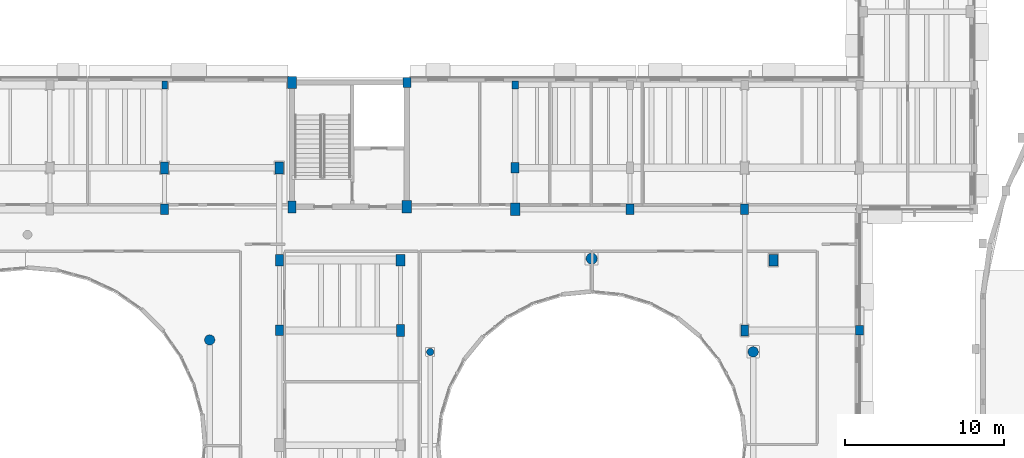
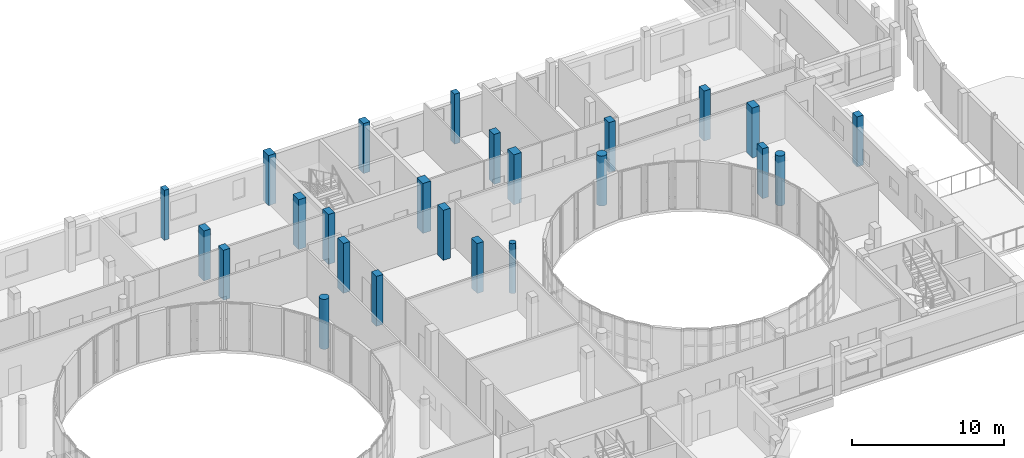
# One storey, part 9 of 89: 24 columns.
"""IFC4 building model written with IfcOpenShell, lengths in metres."""

import ifcopenshell
import ifcopenshell.guid

model = None  # the IFC model being written
_history = None  # IfcOwnerHistory: only IFC2X3 demands one
_inside = {}  # id of a spatial element -> (the spatial element, [elements in it])
_under = {}  # id of a project, library or spatial element -> (it, [spatial elements below it])
_declared = {}  # id of a project -> (the project, [libraries it declares])
_typed = {}  # id of a type object -> (the type object, [elements of that type])
_made_of = {}  # id of a material, layer set ... -> (it, [elements and type objects made of it])


def new_model(schema):
    """Start an empty IFC model of exactly this schema.

    Asked for "IFC4X3", IfcOpenShell would pick the latest addendum, in which some entities
    have other attributes; the version numbers below select the first issue.
    IFC2X3 requires an IfcOwnerHistory on every rooted entity: one is made here for all.
    """
    global model, _history
    if schema == "IFC4X3":
        model = ifcopenshell.file(schema_version=(4, 3, 0, 0))
    else:
        model = ifcopenshell.file(schema=schema)
    _inside.clear()
    _under.clear()
    _declared.clear()
    _typed.clear()
    _made_of.clear()
    _history = None
    if model.schema == "IFC2X3":
        org = make("IfcOrganization", Name="unknown")
        user = make(
            "IfcPersonAndOrganization",
            ThePerson=make("IfcPerson", FamilyName="unknown"),
            TheOrganization=org,
        )
        app = make(
            "IfcApplication",
            ApplicationDeveloper=org,
            Version="unknown",
            ApplicationFullName="unknown",
            ApplicationIdentifier="unknown",
        )
        _history = make(
            "IfcOwnerHistory",
            OwningUser=user,
            OwningApplication=app,
            ChangeAction="ADDED",
            CreationDate=0,
        )
    return model


def make(cls, **values):
    """One entity of the class cls with the attributes given. An attribute that is None is left unset."""
    return model.create_entity(
        cls, **{name: value for name, value in values.items() if value is not None}
    )


def rooted(cls, **values):
    """An entity with a GlobalId (a new one), such as an element, a storey or a relation."""
    return make(cls, GlobalId=ifcopenshell.guid.new(), OwnerHistory=_history, **values)


def si_unit(unit_type, name, prefix=None):
    """IfcSIUnit, for example si_unit("LENGTHUNIT", "METRE", prefix="MILLI")."""
    return make("IfcSIUnit", UnitType=unit_type, Prefix=prefix, Name=name)


def assignment(units):
    """IfcUnitAssignment: the units of a project."""
    return None if units is None else make("IfcUnitAssignment", Units=units)


def point(xyz):
    """IfcCartesianPoint."""
    return None if xyz is None else make("IfcCartesianPoint", Coordinates=xyz)


def direction(xyz):
    """IfcDirection."""
    return None if xyz is None else make("IfcDirection", DirectionRatios=xyz)


def frame(location, z_axis=None, x_axis=None):
    """IfcAxis2Placement3D, a coordinate frame: its origin and axes. An axis left out is left unset."""
    return make(
        "IfcAxis2Placement3D",
        Location=point(location),
        Axis=direction(z_axis),
        RefDirection=direction(x_axis),
    )


def frame_2d(location, x_axis=None):
    """IfcAxis2Placement2D, a coordinate frame in the plane: its origin and x axis."""
    return make(
        "IfcAxis2Placement2D", Location=point(location), RefDirection=direction(x_axis)
    )


def origin():
    """The frame at (0, 0, 0) with its axes left unset."""
    return frame((0.0, 0.0, 0.0))


def origin_2d():
    """The frame at (0, 0) in the plane with its x axis left unset."""
    return frame_2d((0.0, 0.0))


def place(relative_to, where):
    """IfcLocalPlacement: puts the frame where relative to a parent placement (None: the world)."""
    return make(
        "IfcLocalPlacement", PlacementRelTo=relative_to, RelativePlacement=where
    )


def context(
    kind, dimensions, precision=None, world=None, true_north=None, identifier=None
):
    """IfcGeometricRepresentationContext, for example the 3D "Model" context."""
    return make(
        "IfcGeometricRepresentationContext",
        ContextIdentifier=identifier,
        ContextType=kind,
        CoordinateSpaceDimension=dimensions,
        Precision=precision,
        WorldCoordinateSystem=world,
        TrueNorth=true_north,
    )


def subcontext(parent, identifier, kind, view, scale=None):
    """IfcGeometricRepresentationSubContext, for example "Body" below "Model"."""
    return make(
        "IfcGeometricRepresentationSubContext",
        ContextIdentifier=identifier,
        ContextType=kind,
        ParentContext=parent,
        TargetScale=scale,
        TargetView=view,
    )


def project(units=None, contexts=None):
    """IfcProject with its units and contexts."""
    return rooted(
        "IfcProject",
        Name="project",
        RepresentationContexts=contexts,
        UnitsInContext=assignment(units),
    )


def spatial(cls, under=None, at=None, **own):
    """A site, building, storey or space (cls), placed at a placement, below another one or the project."""
    s = rooted(cls, ObjectPlacement=at, **own)
    if under is not None:
        _under.setdefault(under.id(), (under, []))[1].append(s)
    return s


def profile(cls, at=None, kind="AREA", **sizes):
    """A parametric profile (cls). Its sizes go by their IFC names, for example OverallWidth=200.0."""
    return make(cls, ProfileType=kind, Position=at, **sizes)


def rectangle(**sizes):
    """IfcRectangleProfileDef."""
    return profile("IfcRectangleProfileDef", **sizes)


def circle(**sizes):
    """IfcCircleProfileDef."""
    return profile("IfcCircleProfileDef", **sizes)


def extrude(swept, where, along, depth):
    """IfcExtrudedAreaSolid: the profile swept, set in the frame where, extruded along a direction by depth."""
    return make(
        "IfcExtrudedAreaSolid",
        SweptArea=swept,
        Position=where,
        ExtrudedDirection=direction(along),
        Depth=depth,
    )


def shape(context_of_items, identifier, shape_type, items):
    """IfcShapeRepresentation: the items that make up one representation, for example the "Body"."""
    return make(
        "IfcShapeRepresentation",
        ContextOfItems=context_of_items,
        RepresentationIdentifier=identifier,
        RepresentationType=shape_type,
        Items=items,
    )


def material(Name=None, Category=None):
    """IfcMaterial."""
    return make("IfcMaterial", Name=Name, Category=Category)


def material_profile(
    of_material, cross_section, Name=None, Category=None, Priority=None
):
    """IfcMaterialProfile: a cross section and its material."""
    return make(
        "IfcMaterialProfile",
        Name=Name,
        Material=of_material,
        Profile=cross_section,
        Priority=Priority,
        Category=Category,
    )


def profile_set(profiles, Name=None, composite=None):
    """IfcMaterialProfileSet."""
    return make(
        "IfcMaterialProfileSet",
        Name=Name,
        MaterialProfiles=profiles,
        CompositeProfile=composite,
    )


def made_of(thing, what):
    """Note that an element or type object is made of a material, layer set ...; save() writes the relation."""
    if what is not None:
        _made_of.setdefault(what.id(), (what, []))[1].append(thing)
    return thing


def type_object(cls, material=None, **own):
    """A type object (cls), such as IfcWallType, which elements share."""
    return made_of(rooted(cls, **own), material)


def element(
    cls,
    number,
    at=None,
    inside=None,
    cuts=None,
    type_object=None,
    material=None,
    context=None,
    identifier="Body",
    shape_type=None,
    held_by="IfcProductDefinitionShape",
    body=None,
    shapes=None,
    **own,
):
    """One element of the class cls, such as IfcWall. Its Tag is "e" and its number.

    at: its placement. inside: the storey or other place that contains it. cuts: it is an
    opening in that element (IfcRelVoidsElement). A single representation is given by context,
    identifier, shape_type and body (its items); several are given by shapes. held_by: the class
    of the entity that holds the representations. save() writes the other relations.
    """
    e = rooted(cls, Tag="e%d" % number, ObjectPlacement=at, **own)
    if body is not None:
        shapes = [shape(context, identifier, shape_type, body)]
    if shapes is not None:
        e.Representation = make(held_by, Representations=shapes)
    if inside is not None:
        _inside.setdefault(inside.id(), (inside, []))[1].append(e)
    if cuts is not None:
        rooted(
            "IfcRelVoidsElement", RelatingBuildingElement=cuts, RelatedOpeningElement=e
        )
    if type_object is not None:
        _typed.setdefault(type_object.id(), (type_object, []))[1].append(e)
    return made_of(e, material)


def aggregate(whole, parts):
    """IfcRelAggregates: a whole, such as a stair, and the parts it consists of."""
    return rooted("IfcRelAggregates", RelatingObject=whole, RelatedObjects=parts)


def save(model, path):
    """Write the relations noted so far, then the file.

    IfcRelAggregates (storeys below a building ...), IfcRelContainedInSpatialStructure (elements
    in a storey), IfcRelDefinesByType, IfcRelAssociatesMaterial and IfcRelDeclares: one each for
    every whole, place, type object, material and project.
    """
    for whole, parts in _under.values():
        aggregate(whole, parts)
    for where, things in _inside.values():
        rooted(
            "IfcRelContainedInSpatialStructure",
            RelatedElements=things,
            RelatingStructure=where,
        )
    for kind, things in _typed.values():
        rooted("IfcRelDefinesByType", RelatedObjects=things, RelatingType=kind)
    for what, things in _made_of.values():
        rooted("IfcRelAssociatesMaterial", RelatedObjects=things, RelatingMaterial=what)
    for by, libraries in _declared.values():
        rooted("IfcRelDeclares", RelatingContext=by, RelatedDefinitions=libraries)
    model.write(path)


model = new_model("IFC4")

# Units and contexts
model_context = context("Model", 3, precision=1e-05, world=origin(), true_north=direction((0.0, 1.0)))
body_context = subcontext(model_context, "Body", "Model", "MODEL_VIEW")
ifc_project = project(units=[si_unit("LENGTHUNIT", "METRE"), si_unit("AREAUNIT", "SQUARE_METRE"), si_unit("VOLUMEUNIT", "CUBIC_METRE"), si_unit("PLANEANGLEUNIT", "RADIAN"), si_unit("MASSUNIT", "GRAM", prefix="KILO")], contexts=[model_context])

# Site, building, storey
site_placement = place(None, origin())
site = spatial("IfcSite", under=ifc_project, at=site_placement, CompositionType="ELEMENT")
building_placement = place(site_placement, origin())
building = spatial("IfcBuilding", under=site, at=building_placement, Name="Kelanivale Promenade Academy", CompositionType="ELEMENT")
storey_placement = place(building_placement, frame((0.0, 0.0, 12.199951171875)))
storey = spatial("IfcBuildingStorey", under=building, at=storey_placement, Name="L03", CompositionType="ELEMENT", Elevation=12.199951171875)

# Columns
ifc_material = material(Name="Concrete C40/50", Category="concrete")
ifc_material_profile_1 = material_profile(ifc_material, rectangle(XDim=0.449951171875, YDim=0.699951171875, at=origin_2d()), Name="RC-COL 450x700")
ifc_profile_set_1 = profile_set([ifc_material_profile_1], Name="Concrete C40/50")
column_type_1 = type_object("IfcColumnType", Name="C-10 RC-COL 450x700", PredefinedType="COLUMN", material=ifc_profile_set_1)
column_1_placement = place(storey_placement, frame((108.39990234375, 64.0, 0.0), z_axis=(0.0, 0.0, 1.0), x_axis=(1.0, 0.0, 0.0)))
element("IfcColumn", 1, at=column_1_placement, inside=storey, type_object=column_type_1, Name="Column C-10 at (108.4, 64.0) L03", PredefinedType="COLUMN", context=body_context, shape_type="SweptSolid", body=[
    extrude(rectangle(XDim=0.449951171875, YDim=0.699951171875, at=origin_2d()), origin(), (0.0, 0.0, 1.0), 4.0),
])
ifc_material_profile_2 = material_profile(ifc_material, rectangle(XDim=0.5, YDim=0.64990234375, at=origin_2d()), Name="RC-COL 500x650")
ifc_profile_set_2 = profile_set([ifc_material_profile_2], Name="Concrete C40/50")
column_type_2 = type_object("IfcColumnType", Name="C-11 RC-COL 500x650", PredefinedType="COLUMN", material=ifc_profile_set_2)
for number, where, z_axis, x_axis, name in (
    (2, (72.0, 71.60009765625, 0.0), (0.0, 0.0, 1.0), (1.0, 0.0, 0.0), "Column C-11 at (72.0, 71.6) L03"),
    (3, (79.199951171875, 64.0, 0.0), (0.0, 0.0, 1.0), (1.0, 0.0, 0.0), "Column C-11 at (79.2, 64.0) L03"),
    (4, (87.199951171875, 79.550048828125, 0.0), (0.0, 0.0, 1.0), (1.0, 0.0, 0.0), "Column C-11 at (87.2, 79.5) L03"),
    (5, (94.0, 74.199951171875, 0.0), (0.0, 0.0, 1.0), (1.0, 0.0, 0.0), "Column C-11 at (94.0, 74.2) L03"),
    (6, (101.199951171875, 71.60009765625, 0.0), (0.0, 0.0, 1.0), (1.0, 0.0, 0.0), "Column C-11 at (101.2, 71.6) L03"),
    (7, (108.39990234375, 71.60009765625, 0.0), (0.0, 0.0, 1.0), (1.0, 0.0, 0.0), "Column C-11 at (108.4, 71.6) L03"),
):
    element("IfcColumn", number, at=place(storey_placement, frame(where, z_axis=z_axis, x_axis=x_axis)), inside=storey, type_object=column_type_2, Name=name, PredefinedType="COLUMN", context=body_context, shape_type="SweptSolid", body=[
        extrude(rectangle(XDim=0.5, YDim=0.64990234375, at=origin_2d()), origin(), (0.0, 0.0, 1.0), 4.0),
    ])
ifc_material_profile_3 = material_profile(ifc_material, rectangle(XDim=0.5, YDim=0.75, at=origin_2d()), Name="RC-COL 500x750")
ifc_profile_set_3 = profile_set([ifc_material_profile_3], Name="Concrete C40/50")
column_type_3 = type_object("IfcColumnType", Name="C-12 RC-COL 500x750", PredefinedType="COLUMN", material=ifc_profile_set_3)
for number, where, z_axis, x_axis, name in (
    (8, (72.0, 74.199951171875, 0.0), (0.0, 0.0, 1.0), (1.0, 0.0, 0.0), "Column C-12 at (72.0, 74.2) L03"),
    (9, (79.199951171875, 68.39990234375, 0.0), (0.0, 0.0, 1.0), (1.0, 0.0, 0.0), "Column C-12 at (79.2, 68.4) L03"),
    (10, (80.0, 71.75, 0.0), (0.0, 0.0, 1.0), (1.0, 0.0, 0.0), "Column C-12 at (80.0, 71.8) L03"),
    (11, (86.800048828125, 64.0, 0.0), (0.0, 0.0, 1.0), (1.0, 0.0, 0.0), "Column C-12 at (86.8, 64.0) L03"),
):
    element("IfcColumn", number, at=place(storey_placement, frame(where, z_axis=z_axis, x_axis=x_axis)), inside=storey, type_object=column_type_3, Name=name, PredefinedType="COLUMN", context=body_context, shape_type="SweptSolid", body=[
        extrude(rectangle(XDim=0.5, YDim=0.75, at=origin_2d()), origin(), (0.0, 0.0, 1.0), 4.0),
    ])
ifc_material_profile_4 = material_profile(ifc_material, rectangle(XDim=0.550048828125, YDim=0.75, at=origin_2d()), Name="RC-COL 550x750")
ifc_profile_set_4 = profile_set([ifc_material_profile_4], Name="Concrete C40/50")
column_type_4 = type_object("IfcColumnType", Name="C-13 RC-COL 550x750", PredefinedType="COLUMN", material=ifc_profile_set_4)
for number, where, z_axis, x_axis, name in (
    (12, (79.199951171875, 74.199951171875, 0.0), (0.0, 0.0, 1.0), (1.0, 0.0, 0.0), "Column C-13 at (79.2, 74.2) L03"),
    (13, (80.0, 79.550048828125, 0.0), (0.0, 0.0, 1.0), (1.0, 0.0, 0.0), "Column C-13 at (80.0, 79.5) L03"),
    (14, (86.800048828125, 68.39990234375, 0.0), (0.0, 0.0, 1.0), (1.0, 0.0, 0.0), "Column C-13 at (86.8, 68.4) L03"),
    (15, (110.199951171875, 68.39990234375, 0.0), (0.0, 0.0, 1.0), (1.0, 0.0, 0.0), "Column C-13 at (110.2, 68.4) L03"),
):
    element("IfcColumn", number, at=place(storey_placement, frame(where, z_axis=z_axis, x_axis=x_axis)), inside=storey, type_object=column_type_4, Name=name, PredefinedType="COLUMN", context=body_context, shape_type="SweptSolid", body=[
        extrude(rectangle(XDim=0.550048828125, YDim=0.75, at=origin_2d()), origin(), (0.0, 0.0, 1.0), 4.0),
    ])
ifc_material_profile_5 = material_profile(ifc_material, rectangle(XDim=0.60009765625, YDim=0.800048828125, at=origin_2d()), Name="RC-COL 600x800")
ifc_profile_set_5 = profile_set([ifc_material_profile_5], Name="Concrete C40/50")
column_type_5 = type_object("IfcColumnType", Name="C-14 RC-COL 600x800", PredefinedType="COLUMN", material=ifc_profile_set_5)
for number, where, z_axis, x_axis, name in (
    (16, (87.199951171875, 71.75, 0.0), (0.0, 0.0, 1.0), (1.0, 0.0, 0.0), "Column C-14 at (87.2, 71.8) L03"),
    (17, (94.0, 71.60009765625, 0.0), (0.0, 0.0, 1.0), (1.0, 0.0, 0.0), "Column C-14 at (94.0, 71.6) L03"),
):
    element("IfcColumn", number, at=place(storey_placement, frame(where, z_axis=z_axis, x_axis=x_axis)), inside=storey, type_object=column_type_5, Name=name, PredefinedType="COLUMN", context=body_context, shape_type="SweptSolid", body=[
        extrude(rectangle(XDim=0.60009765625, YDim=0.800048828125, at=origin_2d()), origin(), (0.0, 0.0, 1.0), 4.0),
    ])
ifc_material_profile_6 = material_profile(ifc_material, circle(Radius=0.22509765625, at=origin_2d()), Name="RC-COL D450")
ifc_profile_set_6 = profile_set([ifc_material_profile_6], Name="Concrete C40/50")
column_type_6 = type_object("IfcColumnType", Name="CC-19 RC-COL D450", PredefinedType="COLUMN", material=ifc_profile_set_6)
column_2_placement = place(storey_placement, frame((88.66796875, 62.64990234375, 0.0), z_axis=(0.0, 0.0, 1.0), x_axis=(1.0, 0.0, 0.0)))
element("IfcColumn", 18, at=column_2_placement, inside=storey, type_object=column_type_6, Name="Column CC-19 at (88.7, 62.6) L03", PredefinedType="COLUMN", context=body_context, shape_type="SweptSolid", body=[
    extrude(circle(Radius=0.22509765625, at=origin_2d()), origin(), (0.0, 0.0, 1.0), 4.0),
])
ifc_material_profile_7 = material_profile(ifc_material, circle(Radius=0.324951171875, at=origin_2d()), Name="RC-COL D650")
ifc_profile_set_7 = profile_set([ifc_material_profile_7], Name="Concrete C40/50")
column_type_7 = type_object("IfcColumnType", Name="CC-23 RC-COL D650", PredefinedType="COLUMN", material=ifc_profile_set_7)
for number, where, z_axis, x_axis, name in (
    (19, (74.83203125, 63.39990234375, 0.0), (0.0, 0.0, 1.0), (1.0, 0.0, 0.0), "Column CC-23 at (74.8, 63.4) L03"),
    (20, (108.931884765625, 62.64990234375, 0.0), (0.0, 0.0, 1.0), (1.0, 0.0, 0.0), "Column CC-23 at (108.9, 62.6) L03"),
):
    element("IfcColumn", number, at=place(storey_placement, frame(where, z_axis=z_axis, x_axis=x_axis)), inside=storey, type_object=column_type_7, Name=name, PredefinedType="COLUMN", context=body_context, shape_type="SweptSolid", body=[
        extrude(circle(Radius=0.324951171875, at=origin_2d()), origin(), (0.0, 0.0, 1.0), 4.0),
    ])
ifc_material_profile_8 = material_profile(ifc_material, circle(Radius=0.35009765625, at=origin_2d()), Name="RC-COL D700")
ifc_profile_set_8 = profile_set([ifc_material_profile_8], Name="Concrete C40/50")
column_type_8 = type_object("IfcColumnType", Name="CC-24 RC-COL D700", PredefinedType="COLUMN", material=ifc_profile_set_8)
column_3_placement = place(storey_placement, frame((98.800048828125, 68.5, 0.0), z_axis=(0.0, 0.0, 1.0), x_axis=(1.0, 0.0, 0.0)))
element("IfcColumn", 21, at=column_3_placement, inside=storey, type_object=column_type_8, Name="Column CC-24 at (98.8, 68.5) L03", PredefinedType="COLUMN", context=body_context, shape_type="SweptSolid", body=[
    extrude(circle(Radius=0.35009765625, at=origin_2d()), origin(), (0.0, 0.0, 1.0), 4.0),
])
ifc_material_profile_9 = material_profile(ifc_material, rectangle(XDim=0.35009765625, YDim=0.5, at=origin_2d()), Name="RC-PIL 350x500")
ifc_profile_set_9 = profile_set([ifc_material_profile_9], Name="Concrete C40/50")
column_type_9 = type_object("IfcColumnType", Name="PL-15 RC-PIL 350x500", PredefinedType="PILASTER", material=ifc_profile_set_9)
column_4_placement = place(storey_placement, frame((72.0, 79.39990234375, 0.0), z_axis=(0.0, 0.0, 1.0), x_axis=(1.0, 0.0, 0.0)))
element("IfcColumn", 22, at=column_4_placement, inside=storey, type_object=column_type_9, Name="Column PL-15 at (72.0, 79.4) L03", PredefinedType="PILASTER", context=body_context, shape_type="SweptSolid", body=[
    extrude(rectangle(XDim=0.35009765625, YDim=0.5, at=origin_2d()), origin(), (0.0, 0.0, 1.0), 4.0),
])
ifc_material_profile_10 = material_profile(ifc_material, rectangle(XDim=0.39990234375, YDim=0.5, at=origin_2d()), Name="RC-PIL 400x500")
ifc_profile_set_10 = profile_set([ifc_material_profile_10], Name="Concrete C40/50")
column_type_10 = type_object("IfcColumnType", Name="PL-16 RC-PIL 400x500", PredefinedType="PILASTER", material=ifc_profile_set_10)
column_5_placement = place(storey_placement, frame((94.0, 79.39990234375, 0.0), z_axis=(0.0, 0.0, 1.0), x_axis=(1.0, 0.0, 0.0)))
element("IfcColumn", 23, at=column_5_placement, inside=storey, type_object=column_type_10, Name="Column PL-16 at (94.0, 79.4) L03", PredefinedType="PILASTER", context=body_context, shape_type="SweptSolid", body=[
    extrude(rectangle(XDim=0.39990234375, YDim=0.5, at=origin_2d()), origin(), (0.0, 0.0, 1.0), 4.0),
])
ifc_material_profile_11 = material_profile(ifc_material, rectangle(XDim=0.5, YDim=0.60009765625, at=origin_2d()), Name="RC-PIL 500x600")
ifc_profile_set_11 = profile_set([ifc_material_profile_11], Name="Concrete C40/50")
column_type_11 = type_object("IfcColumnType", Name="PL-18 RC-PIL 500x600", PredefinedType="PILASTER", material=ifc_profile_set_11)
column_6_placement = place(storey_placement, frame((115.60009765625, 64.0, 0.0), z_axis=(0.0, 0.0, 1.0), x_axis=(1.0, 0.0, 0.0)))
element("IfcColumn", 24, at=column_6_placement, inside=storey, type_object=column_type_11, Name="Column PL-18 at (115.6, 64.0) L03", PredefinedType="PILASTER", context=body_context, shape_type="SweptSolid", body=[
    extrude(rectangle(XDim=0.5, YDim=0.60009765625, at=origin_2d()), origin(), (0.0, 0.0, 1.0), 4.0),
])

save(model, "model.ifc")
